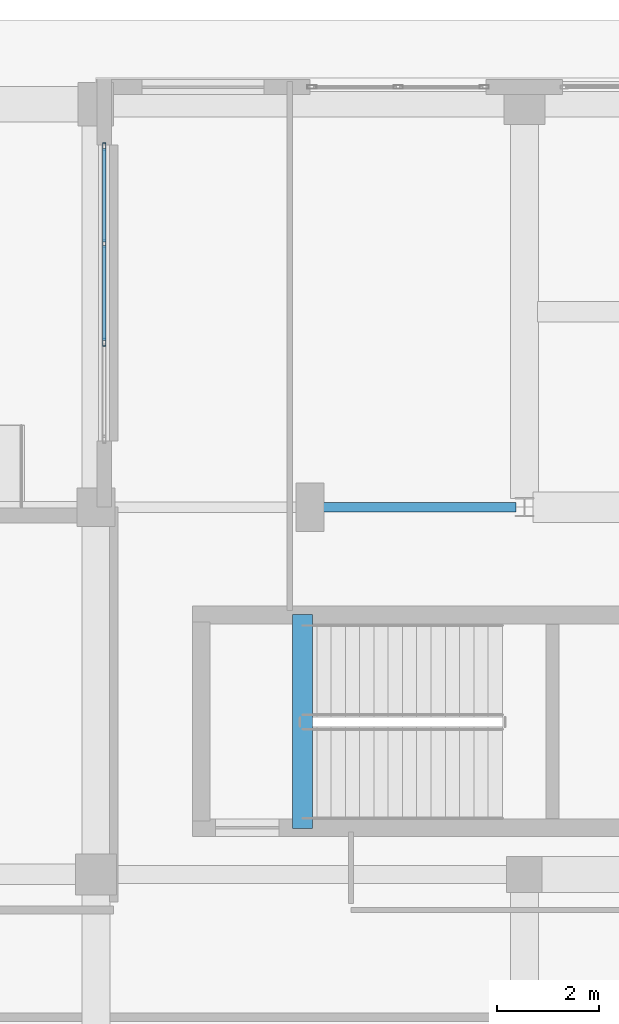
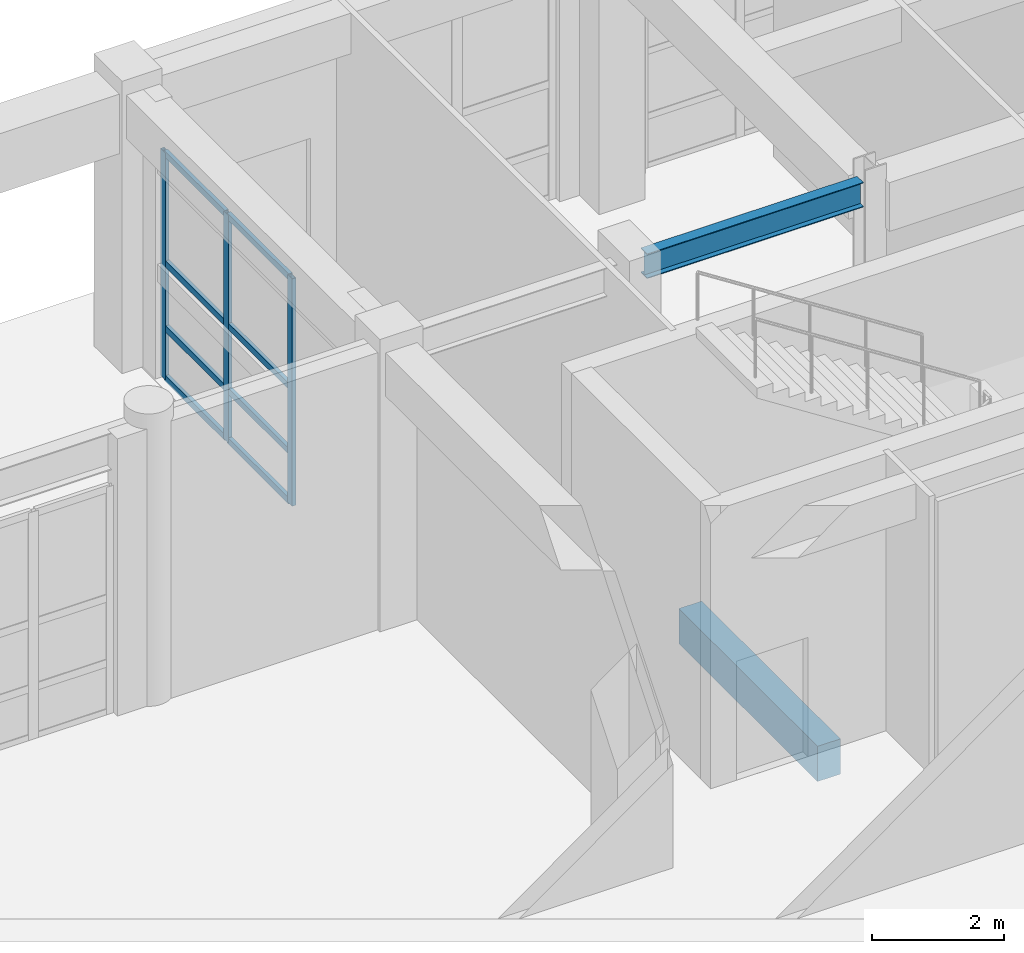
# One storey, part 91 of 148: 11 members, 2 beams, 1 element without a shape of its own.
"""IFC4 building model written with IfcOpenShell, lengths in metres."""

from ifc_helpers import new_model, si_unit, direction, frame, origin, origin_2d, place, context, subcontext, project, spatial, rectangle, hollow_rectangle, i_section, extrude, material, layer, layer_set, material_profile, profile_set, type_object, element, aggregate, save


model = new_model("IFC4")

# Units and contexts
model_context = context("Model", 3, precision=1e-05, world=origin(), true_north=direction((0.0, 1.0)))
body_context = subcontext(model_context, "Body", "Model", "MODEL_VIEW")
ifc_project = project(units=[si_unit("LENGTHUNIT", "METRE"), si_unit("AREAUNIT", "SQUARE_METRE"), si_unit("VOLUMEUNIT", "CUBIC_METRE"), si_unit("PLANEANGLEUNIT", "RADIAN"), si_unit("MASSUNIT", "GRAM", prefix="KILO")], contexts=[model_context])

# Site, building, storey
site_placement = place(None, origin())
site = spatial("IfcSite", under=ifc_project, at=site_placement, CompositionType="ELEMENT")
building_placement = place(site_placement, origin())
building = spatial("IfcBuilding", under=site, at=building_placement, Name="Quendrovan Civic Courthouse", CompositionType="ELEMENT")
storey_placement = place(building_placement, origin())
storey = spatial("IfcBuildingStorey", under=building, at=storey_placement, Name="L01", CompositionType="ELEMENT", Elevation=0.0)

# Beams
ifc_material_1 = material(Name="Concrete C40/50", Category="concrete")
ifc_material_profile_1 = material_profile(ifc_material_1, rectangle(XDim=0.39990234375, YDim=0.64990234375, at=origin_2d()), Name="RC-BM-400x650")
ifc_profile_set_1 = profile_set([ifc_material_profile_1], Name="Concrete C40/50")
beam_type_1 = type_object("IfcBeamType", Name="BM-RC650", PredefinedType="JOIST", material=ifc_profile_set_1)
beam_1_placement = place(storey_placement, frame((113.25, 95.699951171875, -0.324951171875), z_axis=(0.0, 1.0, 0.0), x_axis=(-1.0, 0.0, 0.0)))
element("IfcBeam", 1, at=beam_1_placement, inside=storey, type_object=beam_type_1, Name="L01 Stair ST6 Landing Trimmer Beam", PredefinedType="JOIST", context=body_context, shape_type="SweptSolid", body=[
    extrude(rectangle(XDim=0.39990234375, YDim=0.64990234375, at=origin_2d()), origin(), (0.0, 0.0, 1.0), 4.199951171875),
])
ifc_material_2 = material(Name="Steel ASTM A992 Grade 50", Category="steel")
ifc_material_profile_2 = material_profile(ifc_material_2, i_section(OverallWidth=0.18994140625, OverallDepth=0.45703125, WebThickness=0.009033203125, FlangeThickness=0.014404296875, at=origin_2d()), Name="W18X50")
ifc_profile_set_2 = profile_set([ifc_material_profile_2], Name="Steel ASTM A992 Grade 50")
beam_type_2 = type_object("IfcBeamType", Name="BM-STL-W18", PredefinedType="JOIST", material=ifc_profile_set_2)
beam_2_placement = place(storey_placement, frame((113.655029296875, 102.0, 4.8916015625), z_axis=(1.0, 0.0, 0.0), x_axis=(0.0, 1.0, 0.0)))
element("IfcBeam", 2, at=beam_2_placement, inside=storey, type_object=beam_type_2, Name="L01 Girder X0350", PredefinedType="JOIST", context=body_context, shape_type="SweptSolid", body=[
    extrude(i_section(OverallWidth=0.18994140625, OverallDepth=0.45703125, WebThickness=0.009033203125, FlangeThickness=0.014404296875, at=origin_2d()), origin(), (0.0, 0.0, 1.0), 3.778076171875),
])

# Curtain wall, members
ifc_material_3 = material(Name="Bronze anodised aluminium and low-E glass", Category="aluminium")
ifc_layer = layer(ifc_material_3, 0.179931640625, Name="Bronze anodised aluminium and low-E glass")
ifc_layer_set = layer_set([ifc_layer], Name="Bronze anodised aluminium and low-E glass")
curtain_wall_type = type_object("IfcCurtainWallType", Name="CW-U58x42", PredefinedType="USERDEFINED", material=ifc_layer_set)
curtain_wall_placement = place(storey_placement, origin())
curtain_wall = element("IfcCurtainWall", 3, at=curtain_wall_placement, inside=storey, type_object=curtain_wall_type, Name="L01 Unitised Hurricane Curtain Wall CW-035", ObjectType="UNITISED CURTAIN WALL", PredefinedType="USERDEFINED")
ifc_material_4 = material(Name="Bronze anodised aluminium", Category="aluminium")
ifc_material_profile_3 = material_profile(ifc_material_4, hollow_rectangle(XDim=0.06494140625, YDim=0.14990234375, WallThickness=0.00390625, at=origin_2d()), Name="CW-MULL-65x150")
ifc_profile_set_3 = profile_set([ifc_material_profile_3], Name="Bronze anodised aluminium")
member_type_1 = type_object("IfcMemberType", Name="CW-MULL-B", PredefinedType="MULLION", material=ifc_profile_set_3)
member_1_placement = place(storey_placement, frame((109.364990234375, 105.2333984375, 0.0), z_axis=(0.0, 0.0, 1.0), x_axis=(-1.0, 0.0, 0.0)))
member_1 = element("IfcMember", 4, at=member_1_placement, type_object=member_type_1, Name="CW-035 mullion 2", PredefinedType="MULLION", context=body_context, shape_type="SweptSolid", body=[
    extrude(hollow_rectangle(XDim=0.06494140625, YDim=0.14990234375, WallThickness=0.00390625, at=origin_2d()), origin(), (0.0, 0.0, 1.0), 4.199951171875),
])
member_2_placement = place(storey_placement, frame((109.364990234375, 107.166748046875, 0.0), z_axis=(0.0, 0.0, 1.0), x_axis=(-1.0, 0.0, 0.0)))
member_2 = element("IfcMember", 5, at=member_2_placement, type_object=member_type_1, Name="CW-035 mullion 3", PredefinedType="MULLION", context=body_context, shape_type="SweptSolid", body=[
    extrude(hollow_rectangle(XDim=0.06494140625, YDim=0.14990234375, WallThickness=0.00390625, at=origin_2d()), origin(), (0.0, 0.0, 1.0), 4.199951171875),
])
member_3_placement = place(storey_placement, frame((109.364990234375, 109.0673828125, 0.0), z_axis=(0.0, 0.0, 1.0), x_axis=(-1.0, 0.0, 0.0)))
member_3 = element("IfcMember", 6, at=member_3_placement, type_object=member_type_1, Name="CW-035 mullion 4", PredefinedType="MULLION", context=body_context, shape_type="SweptSolid", body=[
    extrude(hollow_rectangle(XDim=0.06494140625, YDim=0.14990234375, WallThickness=0.00390625, at=origin_2d()), origin(), (0.0, 0.0, 1.0), 4.199951171875),
])
ifc_material_profile_4 = material_profile(ifc_material_4, hollow_rectangle(XDim=0.06494140625, YDim=0.114990234375, WallThickness=0.00390625, at=origin_2d()), Name="CW-TRAN-65x115")
ifc_profile_set_4 = profile_set([ifc_material_profile_4], Name="Bronze anodised aluminium")
member_type_2 = type_object("IfcMemberType", Name="CW-TRAN-B", PredefinedType="USERDEFINED", material=ifc_profile_set_4)
member_4_placement = place(storey_placement, frame((109.364990234375, 105.265869140625, 0.032470703125), z_axis=(0.0, 1.0, 0.0), x_axis=(-1.0, 0.0, 0.0)))
member_4 = element("IfcMember", 7, at=member_4_placement, type_object=member_type_2, Name="CW-035 transom 2.1", ObjectType="TRANSOM", PredefinedType="USERDEFINED", context=body_context, shape_type="SweptSolid", body=[
    extrude(hollow_rectangle(XDim=0.06494140625, YDim=0.114990234375, WallThickness=0.00390625, at=origin_2d()), origin(), (0.0, 0.0, 1.0), 1.868408203125),
])
member_5_placement = place(storey_placement, frame((109.364990234375, 105.265869140625, 0.949951171875), z_axis=(0.0, 1.0, 0.0), x_axis=(-1.0, 0.0, 0.0)))
member_5 = element("IfcMember", 8, at=member_5_placement, type_object=member_type_2, Name="CW-035 transom 2.2", ObjectType="TRANSOM", PredefinedType="USERDEFINED", context=body_context, shape_type="SweptSolid", body=[
    extrude(hollow_rectangle(XDim=0.06494140625, YDim=0.114990234375, WallThickness=0.00390625, at=origin_2d()), origin(), (0.0, 0.0, 1.0), 1.868408203125),
])
member_6_placement = place(storey_placement, frame((109.364990234375, 105.265869140625, 2.14990234375), z_axis=(0.0, 1.0, 0.0), x_axis=(-1.0, 0.0, 0.0)))
member_6 = element("IfcMember", 9, at=member_6_placement, type_object=member_type_2, Name="CW-035 transom 2.3", ObjectType="TRANSOM", PredefinedType="USERDEFINED", context=body_context, shape_type="SweptSolid", body=[
    extrude(hollow_rectangle(XDim=0.06494140625, YDim=0.114990234375, WallThickness=0.00390625, at=origin_2d()), origin(), (0.0, 0.0, 1.0), 1.868408203125),
])
member_7_placement = place(storey_placement, frame((109.364990234375, 105.265869140625, 4.16748046875), z_axis=(0.0, 1.0, 0.0), x_axis=(-1.0, 0.0, 0.0)))
member_7 = element("IfcMember", 10, at=member_7_placement, type_object=member_type_2, Name="CW-035 transom 2.4", ObjectType="TRANSOM", PredefinedType="USERDEFINED", context=body_context, shape_type="SweptSolid", body=[
    extrude(hollow_rectangle(XDim=0.06494140625, YDim=0.114990234375, WallThickness=0.00390625, at=origin_2d()), origin(), (0.0, 0.0, 1.0), 1.868408203125),
])
member_8_placement = place(storey_placement, frame((109.364990234375, 107.19921875, 0.032470703125), z_axis=(0.0, 1.0, 0.0), x_axis=(-1.0, 0.0, 0.0)))
member_8 = element("IfcMember", 11, at=member_8_placement, type_object=member_type_2, Name="CW-035 transom 3.1", ObjectType="TRANSOM", PredefinedType="USERDEFINED", context=body_context, shape_type="SweptSolid", body=[
    extrude(hollow_rectangle(XDim=0.06494140625, YDim=0.114990234375, WallThickness=0.00390625, at=origin_2d()), origin(), (0.0, 0.0, 1.0), 1.835693359375),
])
member_9_placement = place(storey_placement, frame((109.364990234375, 107.19921875, 0.949951171875), z_axis=(0.0, 1.0, 0.0), x_axis=(-1.0, 0.0, 0.0)))
member_9 = element("IfcMember", 12, at=member_9_placement, type_object=member_type_2, Name="CW-035 transom 3.2", ObjectType="TRANSOM", PredefinedType="USERDEFINED", context=body_context, shape_type="SweptSolid", body=[
    extrude(hollow_rectangle(XDim=0.06494140625, YDim=0.114990234375, WallThickness=0.00390625, at=origin_2d()), origin(), (0.0, 0.0, 1.0), 1.835693359375),
])
member_10_placement = place(storey_placement, frame((109.364990234375, 107.19921875, 2.14990234375), z_axis=(0.0, 1.0, 0.0), x_axis=(-1.0, 0.0, 0.0)))
member_10 = element("IfcMember", 13, at=member_10_placement, type_object=member_type_2, Name="CW-035 transom 3.3", ObjectType="TRANSOM", PredefinedType="USERDEFINED", context=body_context, shape_type="SweptSolid", body=[
    extrude(hollow_rectangle(XDim=0.06494140625, YDim=0.114990234375, WallThickness=0.00390625, at=origin_2d()), origin(), (0.0, 0.0, 1.0), 1.835693359375),
])
member_11_placement = place(storey_placement, frame((109.364990234375, 107.19921875, 4.16748046875), z_axis=(0.0, 1.0, 0.0), x_axis=(-1.0, 0.0, 0.0)))
member_11 = element("IfcMember", 14, at=member_11_placement, type_object=member_type_2, Name="CW-035 transom 3.4", ObjectType="TRANSOM", PredefinedType="USERDEFINED", context=body_context, shape_type="SweptSolid", body=[
    extrude(hollow_rectangle(XDim=0.06494140625, YDim=0.114990234375, WallThickness=0.00390625, at=origin_2d()), origin(), (0.0, 0.0, 1.0), 1.835693359375),
])
aggregate(curtain_wall, [member_1, member_2, member_3, member_4, member_5, member_6, member_7, member_8, member_9, member_10, member_11])

save(model, "model.ifc")
